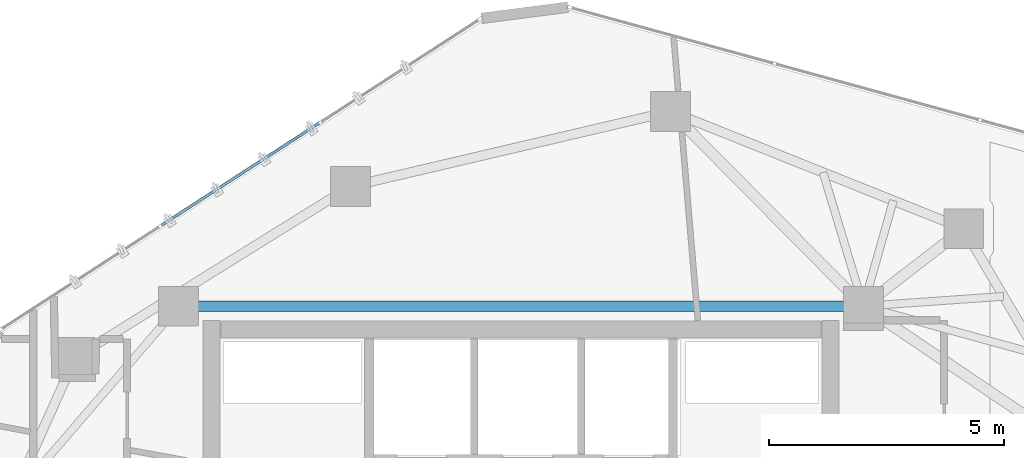
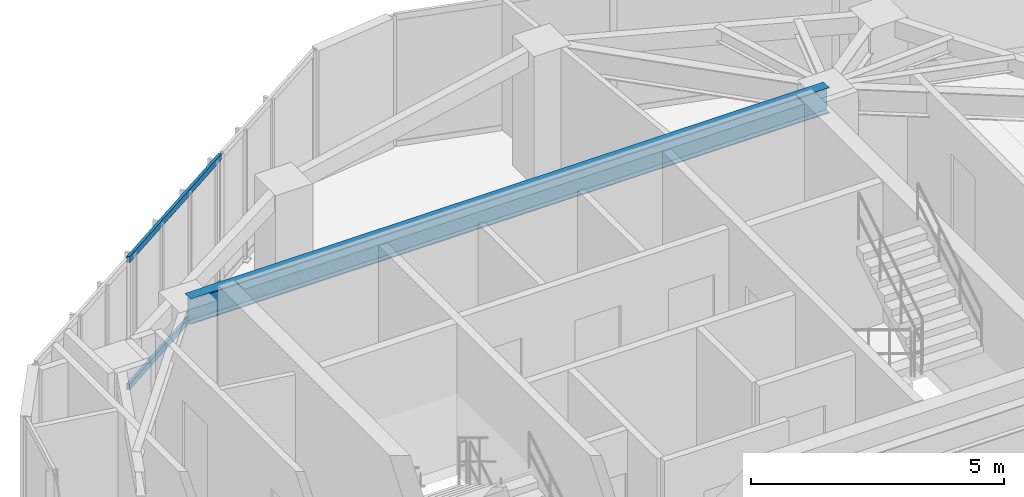
# One storey, part 10 of 20: 2 members, 1 beam, 1 element without a shape of its own.
"""IFC4 building model written with IfcOpenShell, lengths in metres."""

from ifc_helpers import new_model, si_unit, direction, frame, origin, origin_2d, place, context, subcontext, project, spatial, hollow_rectangle, i_section, extrude, source, transform, mapped, material, layer, layer_set, material_profile, profile_set, type_object, type_shapes, element, aggregate, save


model = new_model("IFC4")

# Units and contexts
model_context = context("Model", 3, precision=1e-05, world=origin(), true_north=direction((0.0, 1.0)))
body_context = subcontext(model_context, "Body", "Model", "MODEL_VIEW")
ifc_project = project(units=[si_unit("LENGTHUNIT", "METRE"), si_unit("AREAUNIT", "SQUARE_METRE"), si_unit("VOLUMEUNIT", "CUBIC_METRE"), si_unit("PLANEANGLEUNIT", "RADIAN"), si_unit("MASSUNIT", "GRAM", prefix="KILO")], contexts=[model_context])

# Site, building, storey
site_placement = place(None, origin())
site = spatial("IfcSite", under=ifc_project, at=site_placement, CompositionType="ELEMENT")
building_placement = place(site_placement, origin())
building = spatial("IfcBuilding", under=site, at=building_placement, Name="Talar Marvaseh", CompositionType="ELEMENT")
storey_placement = place(building_placement, frame((0.0, 0.0, 247.60009765625)))
storey = spatial("IfcBuildingStorey", under=building, at=storey_placement, Name="L65", CompositionType="ELEMENT", Elevation=247.60009765625)

# Beam
ifc_material_1 = material(Name="Steel S355", Category="steel")
ifc_material_profile_1 = material_profile(ifc_material_1, i_section(OverallWidth=0.22998046875, OverallDepth=0.616943359375, WebThickness=0.01318359375, FlangeThickness=0.022216796875, at=origin_2d()), Name="W610x140")
ifc_profile_set_1 = profile_set([ifc_material_profile_1], Name="Steel S355")
beam_type = type_object("IfcBeamType", Name="Zone 4 Radial Floor Girder W610x140", PredefinedType="BEAM", material=ifc_profile_set_1)
beam_placement = place(storey_placement, frame((18.699951171875, 36.89990234375, 2.831298828125), z_axis=(1.0, 0.0, 0.0), x_axis=(0.0, 1.0, 0.0)))
element("IfcBeam", 1, at=beam_placement, inside=storey, type_object=beam_type, Name="L65 Zone 4 Radial Floor Girder W610x140", PredefinedType="BEAM", context=body_context, shape_type="SweptSolid", body=[
    extrude(i_section(OverallWidth=0.22998046875, OverallDepth=0.616943359375, WebThickness=0.01318359375, FlangeThickness=0.022216796875, at=origin_2d()), origin(), (0.0, 0.0, 1.0), 14.60009765625),
])

# Curtain wall, members
ifc_material_2 = material(Name="Architectural Aluminium", Category="aluminium")
ifc_layer = layer(ifc_material_2, 0.179931640625)
ifc_layer_set = layer_set([ifc_layer], Name="Architectural Aluminium")
curtain_wall_type = type_object("IfcCurtainWallType", Name="Unitised High-Wind Sky Curtain Wall Z4", PredefinedType="NOTDEFINED", material=ifc_layer_set)
curtain_wall_placement = place(storey_placement, origin())
curtain_wall = element("IfcCurtainWall", 2, at=curtain_wall_placement, inside=storey, type_object=curtain_wall_type, Name="L65 Unitised High-Wind Sky Curtain Wall Z4", PredefinedType="NOTDEFINED")
ifc_material_profile_2 = material_profile(ifc_material_2, hollow_rectangle(XDim=0.06494140625, YDim=0.14990234375, WallThickness=0.00390625, at=origin_2d()), Name="RHS150x65x4")
ifc_profile_set_2 = profile_set([ifc_material_profile_2], Name="Architectural Aluminium")
member_type = type_object("IfcMemberType", Name="Unitised Curtain Wall Slim Transom RHS150x65x4", PredefinedType="USERDEFINED", material=ifc_profile_set_2)
shared_shape = source(origin(), body_context, "Body", "SweptSolid", [
    extrude(hollow_rectangle(XDim=0.06494140625, YDim=0.14990234375, WallThickness=0.00390625, at=origin_2d()), origin(), (0.0, 0.0, 1.0), 4.003662109375),
])
type_shapes(member_type, [shared_shape])
member_1_placement = place(storey_placement, frame((18.331787109375, 38.62353515625, 0.032470703125), z_axis=(0.839323028652, 0.54363301369, 0.0), x_axis=(-0.54363301369, 0.839323028652, 0.0)))
member_1 = element("IfcMember", 3, at=member_1_placement, type_object=member_type, Name="CW-Z4 transom 2.1", ObjectType="TRANSOM", PredefinedType="USERDEFINED", context=body_context, shape_type="MappedRepresentation", body=[
    mapped(shared_shape, transform((0.0, 0.0, 0.0), x_axis=(1.0, 0.0, 0.0), y_axis=(0.0, 1.0, 0.0), z_axis=(0.0, 0.0, 1.0), scale=1.0)),
])
member_2_placement = place(storey_placement, frame((18.331787109375, 38.62353515625, 3.107421875), z_axis=(0.839323028652, 0.54363301369, 0.0), x_axis=(-0.54363301369, 0.839323028652, 0.0)))
member_2 = element("IfcMember", 4, at=member_2_placement, type_object=member_type, Name="CW-Z4 transom 2.2", ObjectType="TRANSOM", PredefinedType="USERDEFINED", context=body_context, shape_type="MappedRepresentation", body=[
    mapped(shared_shape, transform((0.0, 0.0, 0.0), x_axis=(1.0, 0.0, 0.0), y_axis=(0.0, 1.0, 0.0), z_axis=(0.0, 0.0, 1.0), scale=1.0)),
])
aggregate(curtain_wall, [member_1, member_2])

save(model, "model.ifc")
